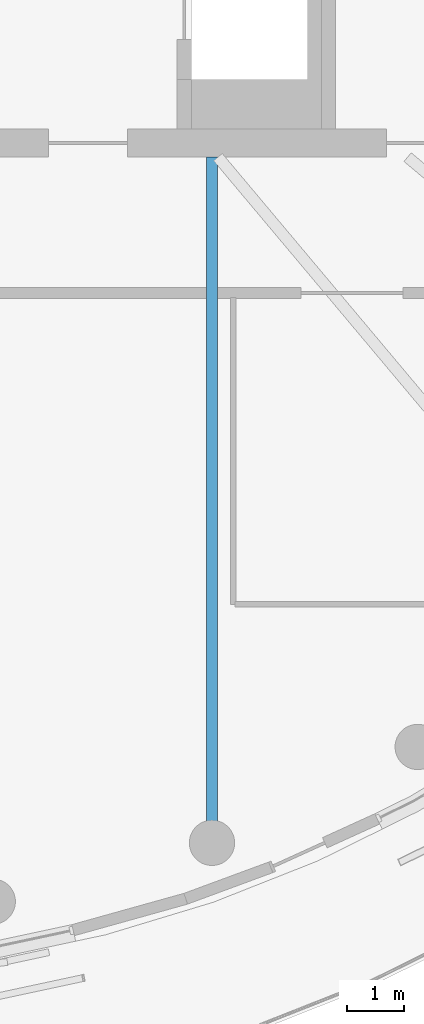
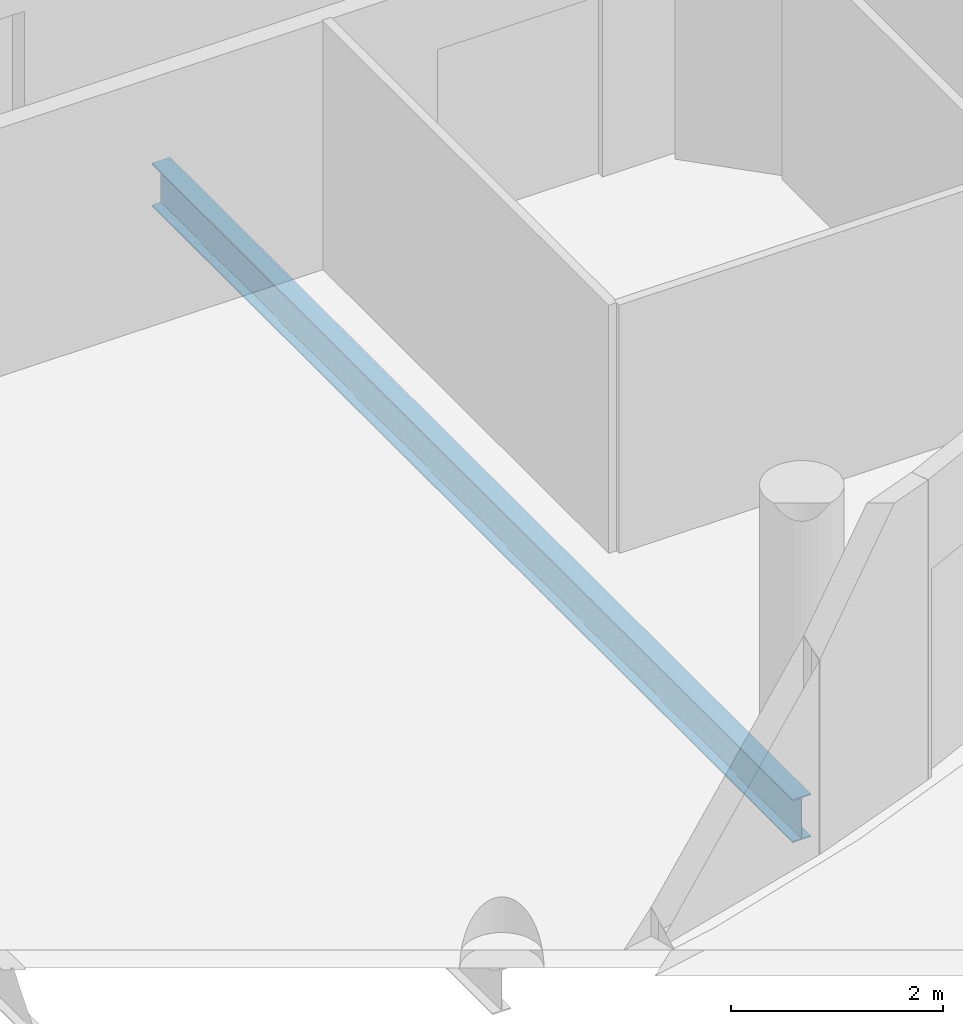
# One storey, part 3 of 21: 1 beam.
"""IFC4 building model written with IfcOpenShell, lengths in metres."""

from ifc_helpers import new_model, si_unit, direction, frame, origin, origin_2d, place, context, subcontext, project, spatial, i_section, extrude, material, material_profile, profile_set, type_object, element, save


model = new_model("IFC4")

# Units and contexts
model_context = context("Model", 3, precision=1e-05, world=origin(), true_north=direction((0.0, 1.0)))
body_context = subcontext(model_context, "Body", "Model", "MODEL_VIEW")
ifc_project = project(units=[si_unit("LENGTHUNIT", "METRE"), si_unit("AREAUNIT", "SQUARE_METRE"), si_unit("VOLUMEUNIT", "CUBIC_METRE"), si_unit("PLANEANGLEUNIT", "RADIAN"), si_unit("MASSUNIT", "GRAM", prefix="KILO")], contexts=[model_context])

# Site, building, storey
site_placement = place(None, origin())
site = spatial("IfcSite", under=ifc_project, at=site_placement, CompositionType="ELEMENT")
building_placement = place(site_placement, origin())
building = spatial("IfcBuilding", under=site, at=building_placement, Name="Tamarind Cross Interchange Tower", CompositionType="ELEMENT")
storey_placement = place(building_placement, frame((0.0, 0.0, 264.0)))
storey = spatial("IfcBuildingStorey", under=building, at=storey_placement, Name="L67", CompositionType="ELEMENT", Elevation=264.0)

# Beam
ifc_material = material(Name="Steel Q355B", Category="steel")
ifc_material_profile = material_profile(ifc_material, i_section(OverallWidth=0.198974609375, OverallDepth=0.49609375, WebThickness=0.009033203125, FlangeThickness=0.013916015625, FilletRadius=0.012939453125, at=origin_2d()), Name="HN 496x199x9x14")
ifc_profile_set = profile_set([ifc_material_profile], Name="Steel Q355B")
beam_type = type_object("IfcBeamType", Name="Composite beam HN 496x199x9x14 Q355B", PredefinedType="BEAM", material=ifc_profile_set)
beam_placement = place(storey_placement, frame((7.866455078125, -21.613037109375, -0.387939453125), z_axis=(0.0, 1.0, 0.0), x_axis=(-1.0, 0.0, 0.0)))
element("IfcBeam", 1, at=beam_placement, inside=storey, type_object=beam_type, Name="Beam HH29", PredefinedType="BEAM", context=body_context, shape_type="SweptSolid", body=[
    extrude(i_section(OverallWidth=0.198974609375, OverallDepth=0.49609375, WebThickness=0.009033203125, FlangeThickness=0.013916015625, FilletRadius=0.012939453125, at=origin_2d()), origin(), (0.0, 0.0, 1.0), 12.113037109375),
])

save(model, "model.ifc")
